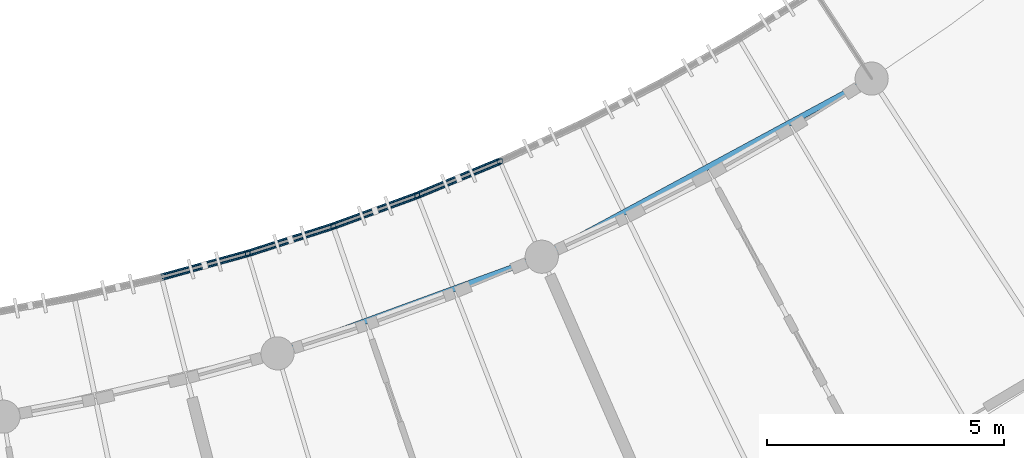
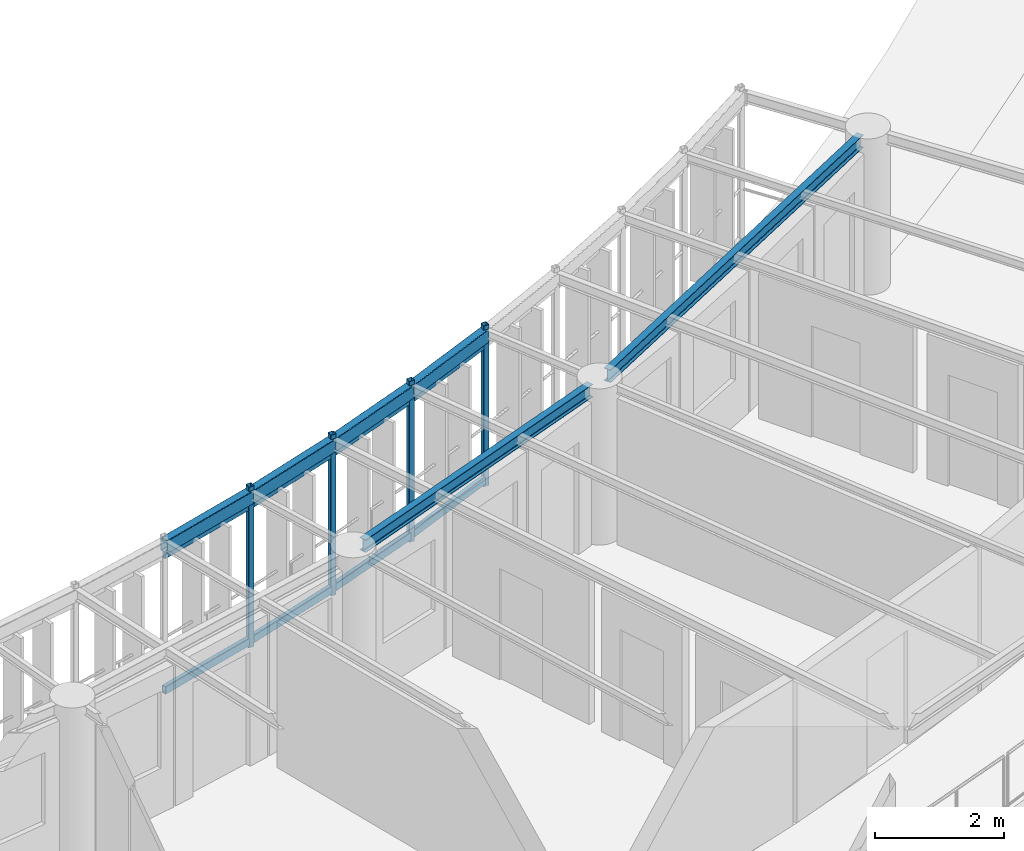
# One storey, part 19 of 100: 12 members, 6 beams.
"""IFC4 building model written with IfcOpenShell, lengths in metres."""

from ifc_helpers import new_model, si_unit, direction, frame, origin, origin_2d, place, context, subcontext, project, spatial, hollow_rectangle, i_section, extrude, material, material_profile, profile_set, type_object, element, save


model = new_model("IFC4")

# Units and contexts
model_context = context("Model", 3, precision=1e-05, world=origin(), true_north=direction((0.0, 1.0)))
body_context = subcontext(model_context, "Body", "Model", "MODEL_VIEW")
ifc_project = project(units=[si_unit("LENGTHUNIT", "METRE"), si_unit("AREAUNIT", "SQUARE_METRE"), si_unit("VOLUMEUNIT", "CUBIC_METRE"), si_unit("PLANEANGLEUNIT", "RADIAN"), si_unit("MASSUNIT", "GRAM", prefix="KILO"), si_unit("POWERUNIT", "WATT"), si_unit("THERMODYNAMICTEMPERATUREUNIT", "KELVIN")], contexts=[model_context])

# Site, building, storey
site_placement = place(None, origin())
site = spatial("IfcSite", under=ifc_project, at=site_placement, CompositionType="ELEMENT")
building_placement = place(site_placement, origin())
building = spatial("IfcBuilding", under=site, at=building_placement, Name="Ruvembo Vaulted Housing Court", CompositionType="ELEMENT")
storey_placement = place(building_placement, frame((0.0, 0.0, 10.89990234375)))
storey = spatial("IfcBuildingStorey", under=building, at=storey_placement, Name="L03", CompositionType="ELEMENT", Elevation=10.89990234375)

# Beams
ifc_material = material(Name="Steel S355J2", Category="steel")
ifc_material_profile_1 = material_profile(ifc_material, i_section(OverallWidth=0.1201171875, OverallDepth=0.239990234375, WebThickness=0.006103515625, FlangeThickness=0.009765625, FilletRadius=0.014892578125, at=origin_2d()), Name="IPE 240")
ifc_profile_set_1 = profile_set([ifc_material_profile_1], Name="Steel S355J2")
beam_type_1 = type_object("IfcBeamType", Name="BM-ST-IPE240", PredefinedType="BEAM", material=ifc_profile_set_1)
beam_1_placement = place(storey_placement, frame((82.88525390625, 16.06640625, 2.822021484375), z_axis=(0.939148809828, 0.343510571888, 0.0), x_axis=(-0.343510571888, 0.939148809828, 0.0)))
element("IfcBeam", 1, at=beam_1_placement, inside=storey, type_object=beam_type_1, Name="Scoop SC2 L03 Chord Girder F21", PredefinedType="BEAM", context=body_context, shape_type="SweptSolid", body=[
    extrude(i_section(OverallWidth=0.1201171875, OverallDepth=0.239990234375, WebThickness=0.006103515625, FlangeThickness=0.009765625, FilletRadius=0.014892578125, at=origin_2d()), origin(), (0.0, 0.0, 1.0), 5.476806640625),
])
beam_2_placement = place(storey_placement, frame((88.447021484375, 18.135986328125, 2.822021484375), z_axis=(0.879950870287, 0.475064696521, 0.0), x_axis=(-0.475064696521, 0.879950870287, 0.0)))
element("IfcBeam", 2, at=beam_2_placement, inside=storey, type_object=beam_type_1, Name="Scoop SC2 L03 Chord Girder F24", PredefinedType="BEAM", context=body_context, shape_type="SweptSolid", body=[
    extrude(i_section(OverallWidth=0.1201171875, OverallDepth=0.239990234375, WebThickness=0.006103515625, FlangeThickness=0.009765625, FilletRadius=0.014892578125, at=origin_2d()), origin(), (0.0, 0.0, 1.0), 7.45166015625),
])
ifc_material_profile_2 = material_profile(ifc_material, hollow_rectangle(XDim=0.14990234375, YDim=0.25, WallThickness=0.010009765625, InnerFilletRadius=0.010009765625, OuterFilletRadius=0.02001953125, at=origin_2d()), Name="RHS 250x150x10")
ifc_profile_set_2 = profile_set([ifc_material_profile_2], Name="Steel S355J2")
beam_type_2 = type_object("IfcBeamType", Name="BM-ST-RHS250", PredefinedType="SPANDREL", material=ifc_profile_set_2)
beam_3_placement = place(storey_placement, frame((80.220947265625, 17.595703125, 2.815185546875), z_axis=(0.964240073493, 0.26503033915, 0.0), x_axis=(-0.26503033915, 0.964240073493, 0.0)))
element("IfcBeam", 3, at=beam_3_placement, inside=storey, type_object=beam_type_2, Name="Scoop SC2 L03 Balcony Edge Spandrel 20", PredefinedType="SPANDREL", context=body_context, shape_type="SweptSolid", body=[
    extrude(hollow_rectangle(XDim=0.14990234375, YDim=0.25, WallThickness=0.010009765625, InnerFilletRadius=0.010009765625, OuterFilletRadius=0.02001953125, at=origin_2d()), origin(), (0.0, 0.0, 1.0), 1.889404296875),
])
beam_4_placement = place(storey_placement, frame((82.042724609375, 18.096435546875, 2.815185546875), z_axis=(0.952526124364, 0.304456864605, 0.0), x_axis=(-0.304456864605, 0.952526124364, 0.0)))
element("IfcBeam", 4, at=beam_4_placement, inside=storey, type_object=beam_type_2, Name="Scoop SC2 L03 Balcony Edge Spandrel 21", PredefinedType="SPANDREL", context=body_context, shape_type="SweptSolid", body=[
    extrude(hollow_rectangle(XDim=0.14990234375, YDim=0.25, WallThickness=0.010009765625, InnerFilletRadius=0.010009765625, OuterFilletRadius=0.02001953125, at=origin_2d()), origin(), (0.0, 0.0, 1.0), 1.88916015625),
])
beam_5_placement = place(storey_placement, frame((83.84228515625, 18.671630859375, 2.815185546875), z_axis=(0.939165556371, 0.343464783824, 0.0), x_axis=(-0.343464783824, 0.939165556371, 0.0)))
element("IfcBeam", 5, at=beam_5_placement, inside=storey, type_object=beam_type_2, Name="Scoop SC2 L03 Balcony Edge Spandrel 22", PredefinedType="SPANDREL", context=body_context, shape_type="SweptSolid", body=[
    extrude(hollow_rectangle(XDim=0.14990234375, YDim=0.25, WallThickness=0.010009765625, InnerFilletRadius=0.010009765625, OuterFilletRadius=0.02001953125, at=origin_2d()), origin(), (0.0, 0.0, 1.0), 1.889404296875),
])
beam_6_placement = place(storey_placement, frame((85.61669921875, 19.320556640625, 2.815185546875), z_axis=(0.924155321549, 0.38201693896, 0.0), x_axis=(-0.38201693896, 0.924155321549, 0.0)))
element("IfcBeam", 6, at=beam_6_placement, inside=storey, type_object=beam_type_2, Name="Scoop SC2 L03 Balcony Edge Spandrel 23", PredefinedType="SPANDREL", context=body_context, shape_type="SweptSolid", body=[
    extrude(hollow_rectangle(XDim=0.14990234375, YDim=0.25, WallThickness=0.010009765625, InnerFilletRadius=0.010009765625, OuterFilletRadius=0.02001953125, at=origin_2d()), origin(), (0.0, 0.0, 1.0), 1.88916015625),
])

# Members
ifc_material_profile_3 = material_profile(ifc_material, hollow_rectangle(XDim=0.06005859375, YDim=0.1201171875, WallThickness=0.0048828125, InnerFilletRadius=0.0048828125, OuterFilletRadius=0.010009765625, at=origin_2d()), Name="RHS 120x60x5")
ifc_profile_set_3 = profile_set([ifc_material_profile_3], Name="Steel S355J2")
member_type_1 = type_object("IfcMemberType", Name="MEM-CAR-RHS120", PredefinedType="CHORD", material=ifc_profile_set_3)
member_1_placement = place(storey_placement, frame((80.220947265625, 17.595703125, 2.633056640625), z_axis=(0.964240073493, 0.26503033915, 0.0), x_axis=(-0.26503033915, 0.964240073493, 0.0)))
element("IfcMember", 7, at=member_1_placement, inside=storey, type_object=member_type_1, Name="Scoop SC2 L03 Upper Louvre Carrier Rail 20", PredefinedType="CHORD", context=body_context, shape_type="SweptSolid", body=[
    extrude(hollow_rectangle(XDim=0.06005859375, YDim=0.1201171875, WallThickness=0.0048828125, InnerFilletRadius=0.0048828125, OuterFilletRadius=0.010009765625, at=origin_2d()), origin(), (0.0, 0.0, 1.0), 1.889404296875),
])
member_2_placement = place(storey_placement, frame((82.042724609375, 18.096435546875, 2.633056640625), z_axis=(0.952526124364, 0.304456864605, 0.0), x_axis=(-0.304456864605, 0.952526124364, 0.0)))
element("IfcMember", 8, at=member_2_placement, inside=storey, type_object=member_type_1, Name="Scoop SC2 L03 Upper Louvre Carrier Rail 21", PredefinedType="CHORD", context=body_context, shape_type="SweptSolid", body=[
    extrude(hollow_rectangle(XDim=0.06005859375, YDim=0.1201171875, WallThickness=0.0048828125, InnerFilletRadius=0.0048828125, OuterFilletRadius=0.010009765625, at=origin_2d()), origin(), (0.0, 0.0, 1.0), 1.88916015625),
])
member_3_placement = place(storey_placement, frame((83.84228515625, 18.671630859375, 2.633056640625), z_axis=(0.939165556371, 0.343464783824, 0.0), x_axis=(-0.343464783824, 0.939165556371, 0.0)))
element("IfcMember", 9, at=member_3_placement, inside=storey, type_object=member_type_1, Name="Scoop SC2 L03 Upper Louvre Carrier Rail 22", PredefinedType="CHORD", context=body_context, shape_type="SweptSolid", body=[
    extrude(hollow_rectangle(XDim=0.06005859375, YDim=0.1201171875, WallThickness=0.0048828125, InnerFilletRadius=0.0048828125, OuterFilletRadius=0.010009765625, at=origin_2d()), origin(), (0.0, 0.0, 1.0), 1.889404296875),
])
member_4_placement = place(storey_placement, frame((85.61669921875, 19.320556640625, 2.633056640625), z_axis=(0.924155321549, 0.38201693896, 0.0), x_axis=(-0.38201693896, 0.924155321549, 0.0)))
element("IfcMember", 10, at=member_4_placement, inside=storey, type_object=member_type_1, Name="Scoop SC2 L03 Upper Louvre Carrier Rail 23", PredefinedType="CHORD", context=body_context, shape_type="SweptSolid", body=[
    extrude(hollow_rectangle(XDim=0.06005859375, YDim=0.1201171875, WallThickness=0.0048828125, InnerFilletRadius=0.0048828125, OuterFilletRadius=0.010009765625, at=origin_2d()), origin(), (0.0, 0.0, 1.0), 1.88916015625),
])
ifc_material_profile_4 = material_profile(ifc_material, hollow_rectangle(XDim=0.080078125, YDim=0.14990234375, WallThickness=0.00634765625, InnerFilletRadius=0.00634765625, OuterFilletRadius=0.0126953125, at=origin_2d()), Name="RHS 150x80x6.3")
ifc_profile_set_4 = profile_set([ifc_material_profile_4], Name="Steel S355J2")
member_type_2 = type_object("IfcMemberType", Name="MEM-CAR-RHS150", PredefinedType="CHORD", material=ifc_profile_set_4)
member_5_placement = place(storey_placement, frame((80.220947265625, 17.595703125, 0.09521484375), z_axis=(0.964240073493, 0.26503033915, 0.0), x_axis=(-0.26503033915, 0.964240073493, 0.0)))
element("IfcMember", 11, at=member_5_placement, inside=storey, type_object=member_type_2, Name="Scoop SC2 L03 Lower Louvre Carrier Rail 20", PredefinedType="CHORD", context=body_context, shape_type="SweptSolid", body=[
    extrude(hollow_rectangle(XDim=0.080078125, YDim=0.14990234375, WallThickness=0.00634765625, InnerFilletRadius=0.00634765625, OuterFilletRadius=0.0126953125, at=origin_2d()), origin(), (0.0, 0.0, 1.0), 1.889404296875),
])
member_6_placement = place(storey_placement, frame((82.042724609375, 18.096435546875, 0.09521484375), z_axis=(0.952526124364, 0.304456864605, 0.0), x_axis=(-0.304456864605, 0.952526124364, 0.0)))
element("IfcMember", 12, at=member_6_placement, inside=storey, type_object=member_type_2, Name="Scoop SC2 L03 Lower Louvre Carrier Rail 21", PredefinedType="CHORD", context=body_context, shape_type="SweptSolid", body=[
    extrude(hollow_rectangle(XDim=0.080078125, YDim=0.14990234375, WallThickness=0.00634765625, InnerFilletRadius=0.00634765625, OuterFilletRadius=0.0126953125, at=origin_2d()), origin(), (0.0, 0.0, 1.0), 1.88916015625),
])
member_7_placement = place(storey_placement, frame((83.84228515625, 18.671630859375, 0.09521484375), z_axis=(0.939165556371, 0.343464783824, 0.0), x_axis=(-0.343464783824, 0.939165556371, 0.0)))
element("IfcMember", 13, at=member_7_placement, inside=storey, type_object=member_type_2, Name="Scoop SC2 L03 Lower Louvre Carrier Rail 22", PredefinedType="CHORD", context=body_context, shape_type="SweptSolid", body=[
    extrude(hollow_rectangle(XDim=0.080078125, YDim=0.14990234375, WallThickness=0.00634765625, InnerFilletRadius=0.00634765625, OuterFilletRadius=0.0126953125, at=origin_2d()), origin(), (0.0, 0.0, 1.0), 1.889404296875),
])
member_8_placement = place(storey_placement, frame((85.61669921875, 19.320556640625, 0.09521484375), z_axis=(0.924155321549, 0.38201693896, 0.0), x_axis=(-0.38201693896, 0.924155321549, 0.0)))
element("IfcMember", 14, at=member_8_placement, inside=storey, type_object=member_type_2, Name="Scoop SC2 L03 Lower Louvre Carrier Rail 23", PredefinedType="CHORD", context=body_context, shape_type="SweptSolid", body=[
    extrude(hollow_rectangle(XDim=0.080078125, YDim=0.14990234375, WallThickness=0.00634765625, InnerFilletRadius=0.00634765625, OuterFilletRadius=0.0126953125, at=origin_2d()), origin(), (0.0, 0.0, 1.0), 1.88916015625),
])
ifc_material_profile_5 = material_profile(ifc_material, hollow_rectangle(XDim=0.10009765625, YDim=0.10009765625, WallThickness=0.00634765625, InnerFilletRadius=0.00634765625, OuterFilletRadius=0.0126953125, at=origin_2d()), Name="SHS 100x100x6.3")
ifc_profile_set_5 = profile_set([ifc_material_profile_5], Name="Steel S355J2")
member_type_3 = type_object("IfcMemberType", Name="MEM-FRM-SHS100", PredefinedType="STRUT", material=ifc_profile_set_5)
for number, where, z_axis, x_axis, name in (
    (15, (82.042724609375, 18.096435546875, -0.014892578125), (0.0, 0.0, 1.0), (1.0, 0.0, 0.0), "Scoop SC2 L03 Louvre Frame Post 21"),
    (16, (83.84228515625, 18.671630859375, -0.014892578125), (0.0, 0.0, 1.0), (1.0, 0.0, 0.0), "Scoop SC2 L03 Louvre Frame Post 22"),
    (17, (85.61669921875, 19.320556640625, -0.014892578125), (0.0, 0.0, 1.0), (1.0, 0.0, 0.0), "Scoop SC2 L03 Louvre Frame Post 23"),
    (18, (87.362548828125, 20.042236328125, -0.014892578125), (0.0, 0.0, 1.0), (1.0, 0.0, 0.0), "Scoop SC2 L03 Louvre Frame Post 24"),
):
    element("IfcMember", number, at=place(storey_placement, frame(where, z_axis=z_axis, x_axis=x_axis)), inside=storey, type_object=member_type_3, Name=name, PredefinedType="STRUT", context=body_context, shape_type="SweptSolid", body=[
        extrude(hollow_rectangle(XDim=0.10009765625, YDim=0.10009765625, WallThickness=0.00634765625, InnerFilletRadius=0.00634765625, OuterFilletRadius=0.0126953125, at=origin_2d()), origin(), (0.0, 0.0, 1.0), 3.032958984375),
    ])

save(model, "model.ifc")
